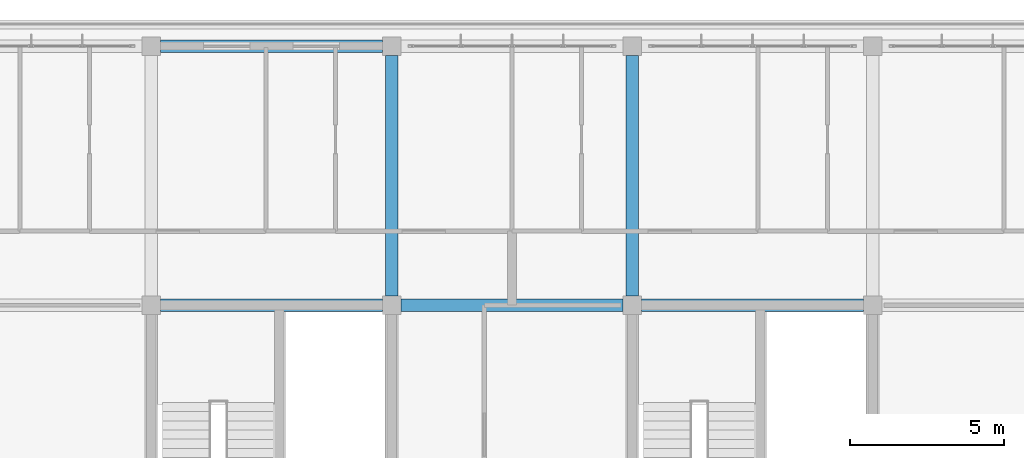
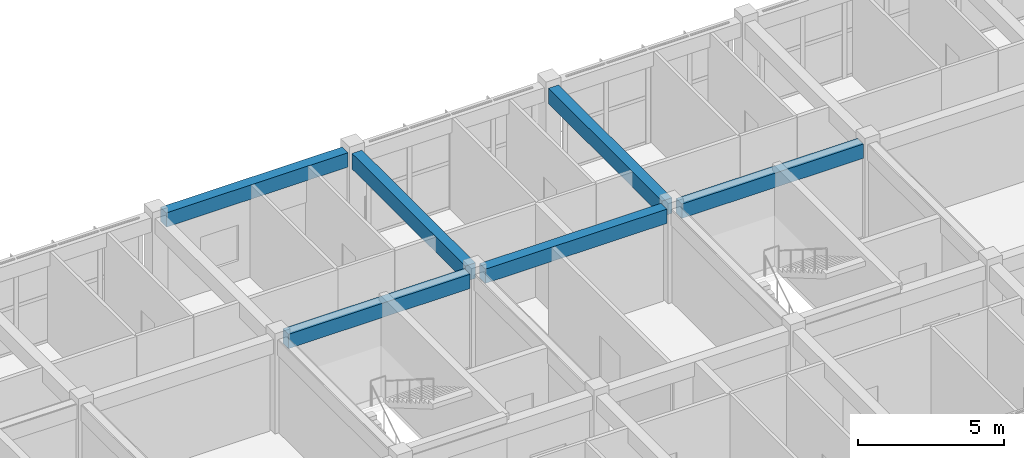
# One storey, part 18 of 56: 6 beams.
"""IFC4 building model written with IfcOpenShell, lengths in metres."""

from ifc_helpers import new_model, si_unit, direction, frame, origin, origin_2d, place, context, subcontext, project, spatial, rectangle, extrude, material, material_profile, profile_set, type_object, element, save


model = new_model("IFC4")

# Units and contexts
model_context = context("Model", 3, precision=1e-05, world=origin(), true_north=direction((0.0, 1.0)))
body_context = subcontext(model_context, "Body", "Model", "MODEL_VIEW")
ifc_project = project(units=[si_unit("LENGTHUNIT", "METRE"), si_unit("AREAUNIT", "SQUARE_METRE"), si_unit("VOLUMEUNIT", "CUBIC_METRE"), si_unit("PLANEANGLEUNIT", "RADIAN"), si_unit("MASSUNIT", "GRAM", prefix="KILO")], contexts=[model_context])

# Site, building, storey
site_placement = place(None, origin())
site = spatial("IfcSite", under=ifc_project, at=site_placement, CompositionType="ELEMENT")
building_placement = place(site_placement, origin())
building = spatial("IfcBuilding", under=site, at=building_placement, Name="Zizhar Promenade General Hospital", CompositionType="ELEMENT")
storey_placement = place(building_placement, frame((0.0, 0.0, 26.39990234375)))
storey = spatial("IfcBuildingStorey", under=building, at=storey_placement, Name="L06", CompositionType="ELEMENT", Elevation=26.39990234375)

# Beams
ifc_material_1 = material(Name="Concrete C35/45", Category="concrete")
ifc_material_profile_1 = material_profile(ifc_material_1, rectangle(XDim=0.39990234375, YDim=0.60009765625, at=origin_2d()))
ifc_profile_set_1 = profile_set([ifc_material_profile_1], Name="Concrete C35/45")
beam_type_1 = type_object("IfcBeamType", Name="BM-RC-400x600", PredefinedType="JOIST", material=ifc_profile_set_1)
for number, where, z_axis, x_axis, name in (
    (1, (62.699951171875, 16.800048828125, 3.610107421875), (1.0, 0.0, 0.0), (0.0, 1.0, 0.0), "Grid Beam X L06 (8-2)"),
    (2, (62.699951171875, 25.199951171875, 3.610107421875), (1.0, 0.0, 0.0), (0.0, 1.0, 0.0), "Grid Beam X L06 (8-3)"),
    (3, (70.5, 16.800048828125, 3.610107421875), (1.0, 0.0, 0.0), (0.0, 1.0, 0.0), "Grid Beam X L06 (9-2)"),
    (4, (78.300048828125, 16.800048828125, 3.610107421875), (1.0, 0.0, 0.0), (0.0, 1.0, 0.0), "Grid Beam X L06 (10-2)"),
):
    element("IfcBeam", number, at=place(storey_placement, frame(where, z_axis=z_axis, x_axis=x_axis)), inside=storey, type_object=beam_type_1, Name=name, PredefinedType="JOIST", context=body_context, shape_type="SweptSolid", body=[
        extrude(rectangle(XDim=0.39990234375, YDim=0.60009765625, at=origin_2d()), origin(), (0.0, 0.0, 1.0), 7.199951171875),
    ])
ifc_material_2 = material(Name="Concrete C35/45", Category="concrete")
ifc_material_profile_2 = material_profile(ifc_material_2, rectangle(XDim=0.39990234375, YDim=0.64990234375, at=origin_2d()))
ifc_profile_set_2 = profile_set([ifc_material_profile_2], Name="Concrete C35/45")
beam_type_2 = type_object("IfcBeamType", Name="BM-RC-400x650", PredefinedType="BEAM", material=ifc_profile_set_2)
for number, where, z_axis, x_axis, name in (
    (5, (70.199951171875, 17.10009765625, 3.585205078125), (0.0, 1.0, 0.0), (-1.0, 0.0, 0.0), "Grid Beam Y L06 (9-2)"),
    (6, (78.0, 17.10009765625, 3.585205078125), (0.0, 1.0, 0.0), (-1.0, 0.0, 0.0), "Grid Beam Y L06 (10-2)"),
):
    element("IfcBeam", number, at=place(storey_placement, frame(where, z_axis=z_axis, x_axis=x_axis)), inside=storey, type_object=beam_type_2, Name=name, PredefinedType="BEAM", context=body_context, shape_type="SweptSolid", body=[
        extrude(rectangle(XDim=0.39990234375, YDim=0.64990234375, at=origin_2d()), origin(), (0.0, 0.0, 1.0), 7.7998046875),
    ])

save(model, "model.ifc")
